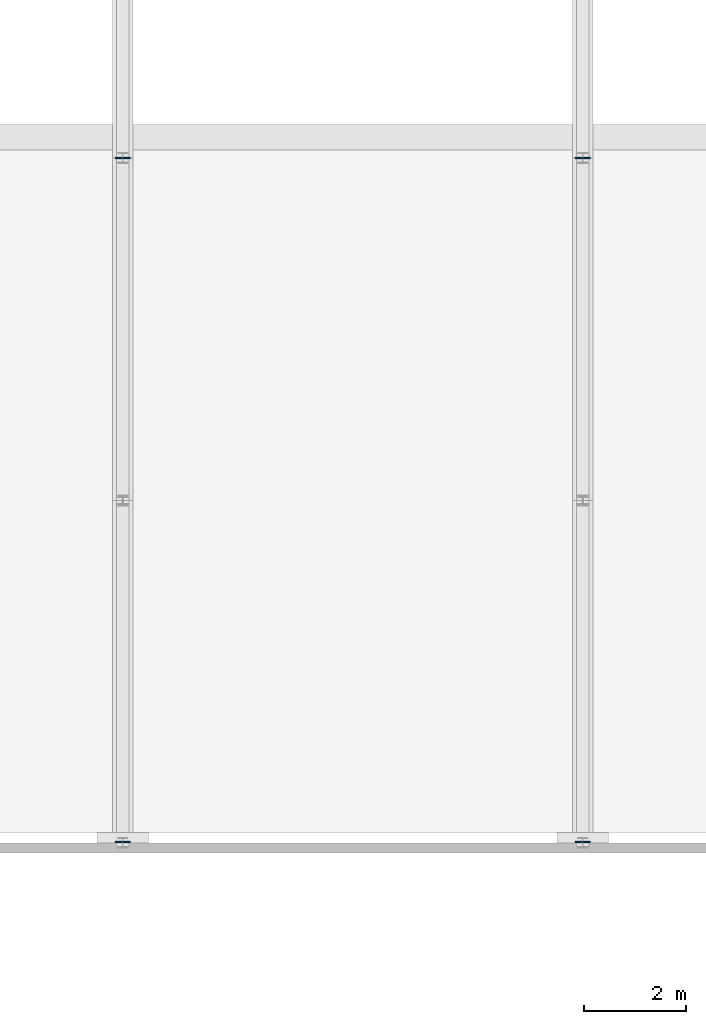
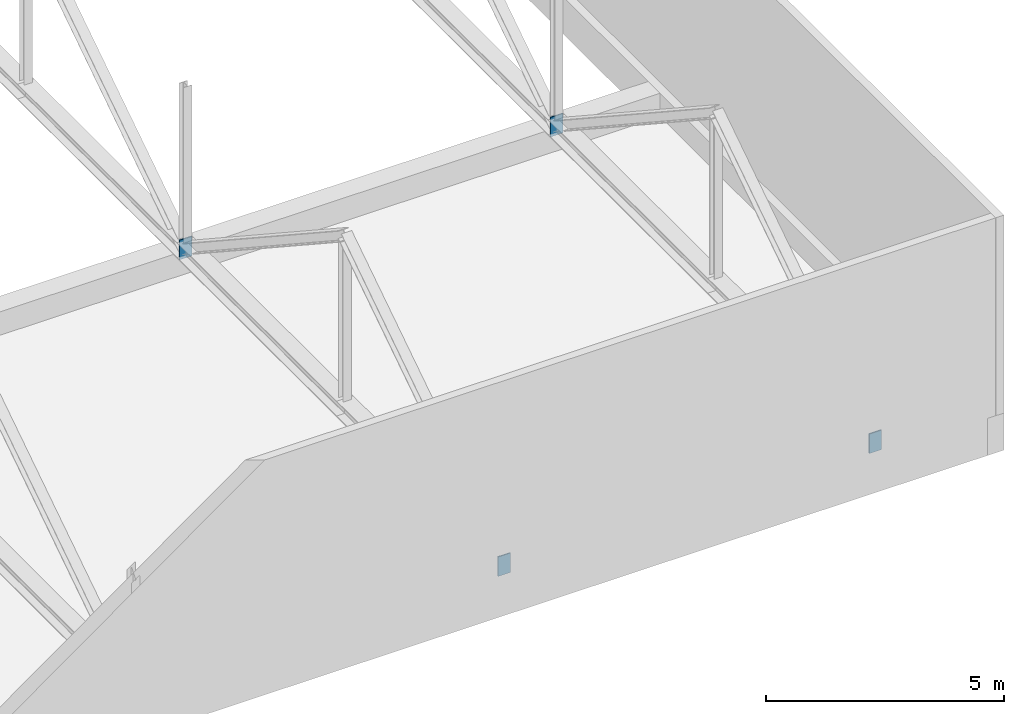
# One storey, part 39 of 49: 4 discrete accessories.
"""IFC4 building model written with IfcOpenShell, lengths in metres."""

from ifc_helpers import new_model, si_unit, direction, frame, origin, origin_2d, place, context, subcontext, project, spatial, rectangle, extrude, material, layer, layer_set, type_object, element, save


model = new_model("IFC4")

# Units and contexts
model_context = context("Model", 3, precision=1e-05, world=origin(), true_north=direction((0.0, 1.0)))
body_context = subcontext(model_context, "Body", "Model", "MODEL_VIEW")
ifc_project = project(units=[si_unit("LENGTHUNIT", "METRE"), si_unit("AREAUNIT", "SQUARE_METRE"), si_unit("VOLUMEUNIT", "CUBIC_METRE"), si_unit("PLANEANGLEUNIT", "RADIAN"), si_unit("MASSUNIT", "GRAM", prefix="KILO")], contexts=[model_context])

# Site, building, storey
site_placement = place(None, origin())
site = spatial("IfcSite", under=ifc_project, at=site_placement, CompositionType="ELEMENT")
building_placement = place(site_placement, origin())
building = spatial("IfcBuilding", under=site, at=building_placement, Name="Hunhe Ridgeline Campus", CompositionType="ELEMENT")
storey_placement = place(building_placement, frame((0.0, 0.0, 21.60009765625)))
storey = spatial("IfcBuildingStorey", under=building, at=storey_placement, Name="L04", CompositionType="ELEMENT", Elevation=21.60009765625)

# Discrete accessories
ifc_material = material(Name="Steel Q355", Category="steel")
ifc_layer = layer(ifc_material, 0.030029296875)
ifc_layer_set = layer_set([ifc_layer], Name="Cast-in plate 300x500x30 Steel Q355")
discrete_accessory_type = type_object("IfcDiscreteAccessoryType", Name="Cast-in plate 300x500x30 Steel Q355", PredefinedType="BRACKET", material=ifc_layer_set)
for number, where, z_axis, x_axis, name in (
    (1, (198.0, 22.715087890625, 0.539794921875), (0.0, 0.0, 1.0), (0.0, 1.0, 0.0), "Roof truss 6 cast-in plate s bottom"),
    (2, (207.0, 22.715087890625, 0.539794921875), (0.0, 0.0, 1.0), (0.0, 1.0, 0.0), "Roof truss 7 cast-in plate s bottom"),
    (3, (198.0, 36.10009765625, 0.539794921875), (0.0, 0.0, 1.0), (0.0, 1.0, 0.0), "Roof truss 6 cast-in plate node 2 bottom"),
    (4, (207.0, 36.10009765625, 0.539794921875), (0.0, 0.0, 1.0), (0.0, 1.0, 0.0), "Roof truss 7 cast-in plate node 2 bottom"),
):
    element("IfcDiscreteAccessory", number, at=place(storey_placement, frame(where, z_axis=z_axis, x_axis=x_axis)), inside=storey, type_object=discrete_accessory_type, Name=name, PredefinedType="BRACKET", context=body_context, shape_type="SweptSolid", body=[
        extrude(rectangle(XDim=0.030029296875, YDim=0.300048828125, at=origin_2d()), origin(), (0.0, 0.0, 1.0), 0.5),
    ])

save(model, "model.ifc")
